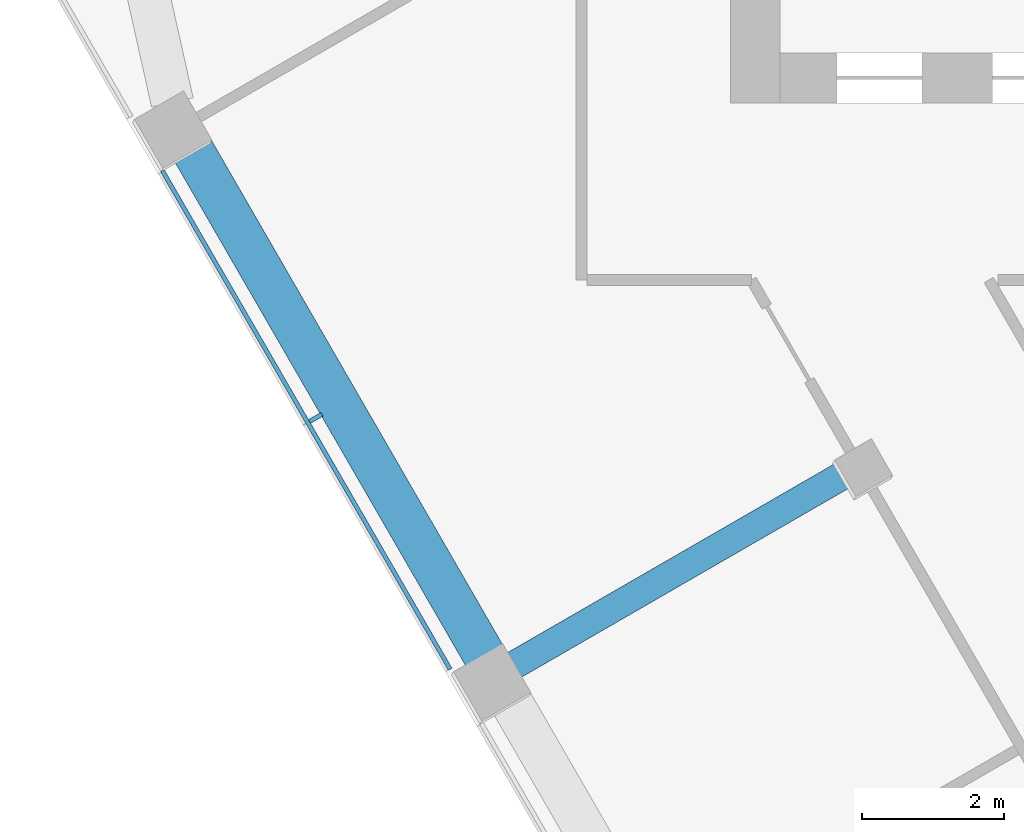
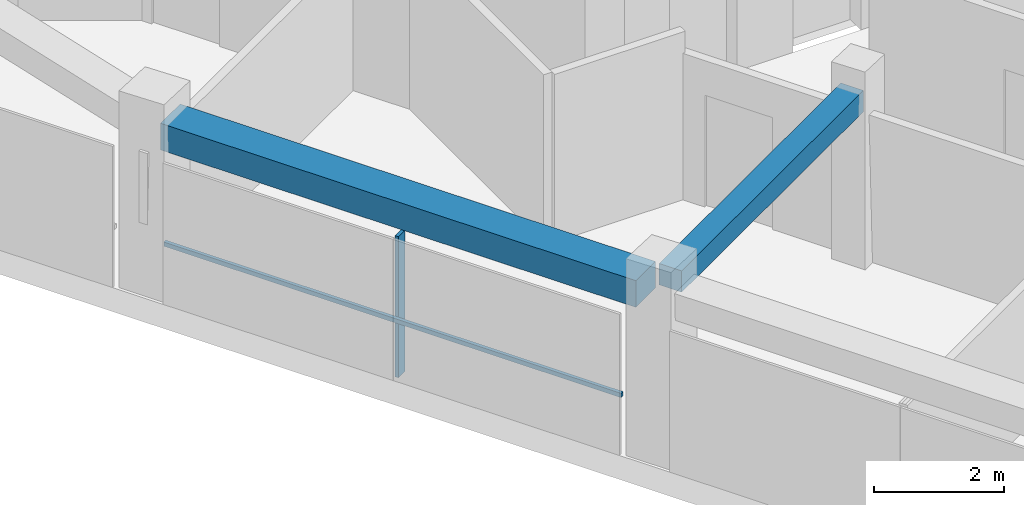
# One storey, part 3 of 12: 2 beams, 2 members, 1 element without a shape of its own.
"""IFC4 building model written with IfcOpenShell, lengths in metres."""

from ifc_helpers import new_model, si_unit, direction, frame, origin, origin_2d, place, context, subcontext, project, spatial, rectangle, extrude, material, layer, layer_set, material_profile, profile_set, type_object, element, aggregate, save


model = new_model("IFC4")

# Units and contexts
model_context = context("Model", 3, precision=1e-05, world=origin(), true_north=direction((0.0, 1.0)))
body_context = subcontext(model_context, "Body", "Model", "MODEL_VIEW")
ifc_project = project(units=[si_unit("LENGTHUNIT", "METRE"), si_unit("AREAUNIT", "SQUARE_METRE"), si_unit("VOLUMEUNIT", "CUBIC_METRE"), si_unit("PLANEANGLEUNIT", "RADIAN"), si_unit("MASSUNIT", "GRAM", prefix="KILO")], contexts=[model_context])

# Site, building, storey
site_placement = place(None, origin())
site = spatial("IfcSite", under=ifc_project, at=site_placement, CompositionType="ELEMENT")
building_placement = place(site_placement, origin())
building = spatial("IfcBuilding", under=site, at=building_placement, Name="Altiplano Prism Tower", CompositionType="ELEMENT")
storey_placement = place(building_placement, frame((0.0, 0.0, 205.199951171875)))
storey = spatial("IfcBuildingStorey", under=building, at=storey_placement, Name="L53", CompositionType="ELEMENT", Elevation=205.199951171875)

# Curtain wall, members
ifc_material_1 = material(Name="Aluminium and glass", Category="aluminium")
ifc_layer = layer(ifc_material_1, 0.303955078125)
ifc_layer_set = layer_set([ifc_layer], Name="Aluminium and glass")
curtain_wall_type = type_object("IfcCurtainWallType", Name="CW2 lounge-band unitised glazing", PredefinedType="NOTDEFINED", material=ifc_layer_set)
curtain_wall_placement = place(storey_placement, origin())
curtain_wall = element("IfcCurtainWall", 1, at=curtain_wall_placement, inside=storey, type_object=curtain_wall_type, Name="CW2 curtain wall south-west face L53", PredefinedType="NOTDEFINED")
ifc_material_2 = material(Name="Aluminium", Category="aluminium")
ifc_material_profile_1 = material_profile(ifc_material_2, rectangle(XDim=0.199951171875, YDim=0.06005859375, at=origin_2d()), Name="CW2 mullion 60 x 200")
ifc_profile_set_1 = profile_set([ifc_material_profile_1], Name="Aluminium")
member_type_1 = type_object("IfcMemberType", Name="CW2 mullion 60 x 200", PredefinedType="MULLION", material=ifc_profile_set_1)
member_1_placement = place(storey_placement, frame((66.44970703125, 88.254150390625, 0.0), z_axis=(0.0, 0.0, 1.0), x_axis=(0.866025406943, 0.499999994528, 0.0)))
member_1 = element("IfcMember", 2, at=member_1_placement, type_object=member_type_1, Name="CW2 mullion", PredefinedType="MULLION", context=body_context, shape_type="SweptSolid", body=[
    extrude(rectangle(XDim=0.199951171875, YDim=0.06005859375, at=origin_2d()), origin(), (0.0, 0.0, 1.0), 2.650146484375),
])
ifc_material_profile_2 = material_profile(ifc_material_2, rectangle(XDim=0.06005859375, YDim=0.080078125, at=origin_2d()), Name="CW2 transom 80 x 60")
ifc_profile_set_2 = profile_set([ifc_material_profile_2], Name="Aluminium")
member_type_2 = type_object("IfcMemberType", Name="CW2 transom 80 x 60", PredefinedType="USERDEFINED", material=ifc_profile_set_2)
member_2_placement = place(storey_placement, frame((64.287353515625, 91.739501953125, 1.10009765625), z_axis=(0.499990533176, -0.866030869389, 0.0), x_axis=(0.866030869389, 0.499990533176, 0.0)))
member_2 = element("IfcMember", 3, at=member_2_placement, type_object=member_type_2, Name="CW2 transom", ObjectType="TRANSOM", PredefinedType="USERDEFINED", context=body_context, shape_type="SweptSolid", body=[
    extrude(rectangle(XDim=0.06005859375, YDim=0.080078125, at=origin_2d()), origin(), (0.0, 0.0, 1.0), 8.119873046875),
])
aggregate(curtain_wall, [member_1, member_2])

# Beams
ifc_material_3 = material(Name="Concrete C60/75", Category="concrete")
ifc_material_profile_3 = material_profile(ifc_material_3, rectangle(XDim=0.60009765625, YDim=0.5, at=origin_2d()), Name="Edge beam 600x500")
ifc_profile_set_3 = profile_set([ifc_material_profile_3], Name="Concrete C60/75")
beam_type_1 = type_object("IfcBeamType", Name="Edge beam 600x500", PredefinedType="SPANDREL", material=ifc_profile_set_3)
beam_1_placement = place(storey_placement, frame((64.632568359375, 92.17041015625, 2.900146484375), z_axis=(0.499993714791, -0.866029032521, 0.0), x_axis=(0.866029032521, 0.499993714791, 0.0)))
element("IfcBeam", 4, at=beam_1_placement, inside=storey, type_object=beam_type_1, Name="Edge beam P11-P12 L54", PredefinedType="SPANDREL", context=body_context, shape_type="SweptSolid", body=[
    extrude(rectangle(XDim=0.60009765625, YDim=0.5, at=origin_2d()), origin(), (0.0, 0.0, 1.0), 8.43994140625),
])
ifc_material_profile_4 = material_profile(ifc_material_3, rectangle(XDim=0.39990234375, YDim=0.39990234375, at=origin_2d()), Name="Tie beam 400x400")
ifc_profile_set_4 = profile_set([ifc_material_profile_4], Name="Concrete C60/75")
beam_type_2 = type_object("IfcBeamType", Name="Tie beam 400x400", PredefinedType="BEAM", material=ifc_profile_set_4)
beam_2_placement = place(storey_placement, frame((74.076171875, 87.5537109375, 2.949951171875), z_axis=(-0.866030670444, -0.499990877767, 0.0), x_axis=(0.499990877767, -0.866030670444, 0.0)))
element("IfcBeam", 5, at=beam_2_placement, inside=storey, type_object=beam_type_2, Name="Tie beam I12 L54", PredefinedType="BEAM", context=body_context, shape_type="SweptSolid", body=[
    extrude(rectangle(XDim=0.39990234375, YDim=0.39990234375, at=origin_2d()), origin(), (0.0, 0.0, 1.0), 5.58984375),
])

save(model, "model.ifc")
